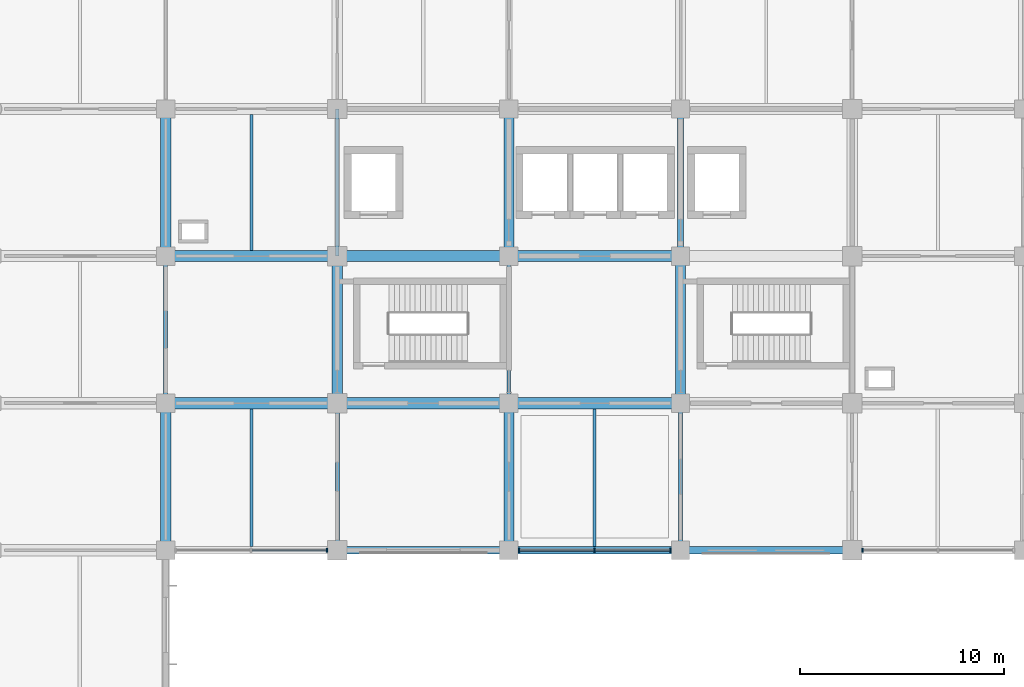
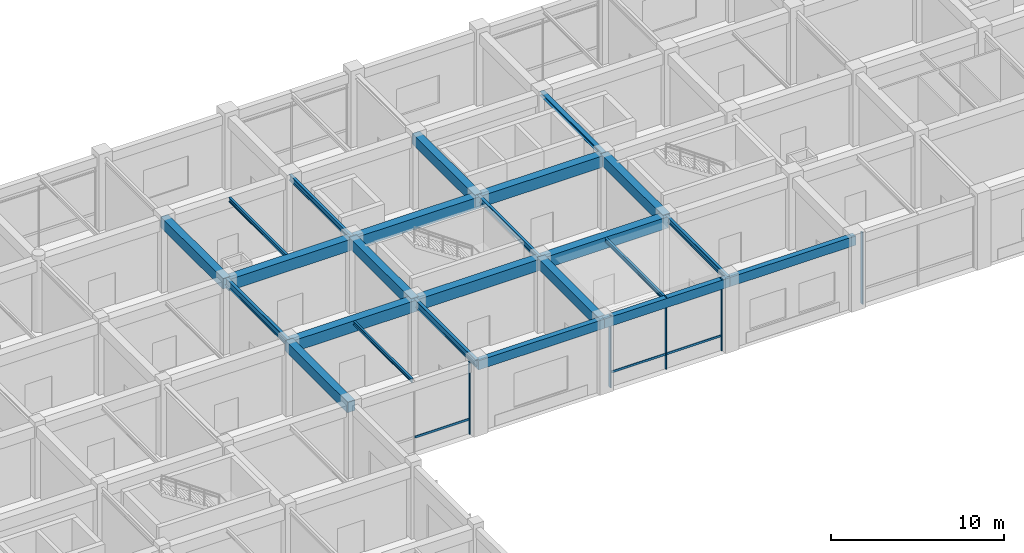
# One storey, part 7 of 41: 24 beams, 8 members, 3 elements without a shape of their own.
"""IFC4 building model written with IfcOpenShell, lengths in metres."""

from ifc_helpers import new_model, si_unit, derived_unit, direction, frame, origin, origin_2d, place, context, subcontext, project, spatial, rectangle, i_section, extrude, material, material_profile, profile_set, type_object, element, aggregate, save


model = new_model("IFC4")

# Units and contexts
model_context = context("Model", 3, precision=1e-05, world=origin(), true_north=direction((0.0, 1.0)))
body_context = subcontext(model_context, "Body", "Model", "MODEL_VIEW")
ifc_project = project(units=[si_unit("LENGTHUNIT", "METRE"), si_unit("AREAUNIT", "SQUARE_METRE"), si_unit("VOLUMEUNIT", "CUBIC_METRE"), si_unit("PLANEANGLEUNIT", "RADIAN"), si_unit("MASSUNIT", "GRAM", prefix="KILO"), derived_unit("THERMALTRANSMITTANCEUNIT", [(si_unit("MASSUNIT", "GRAM", prefix="KILO"), 1), (si_unit("TIMEUNIT", "SECOND"), -3), (si_unit("THERMODYNAMICTEMPERATUREUNIT", "KELVIN"), -1)])], contexts=[model_context])

# Site, building, storey
site_placement = place(None, origin())
site = spatial("IfcSite", under=ifc_project, at=site_placement, CompositionType="ELEMENT")
building_placement = place(site_placement, origin())
building = spatial("IfcBuilding", under=site, at=building_placement, Name="Veldstrom Oceanarium and Marine Research Institute", CompositionType="ELEMENT")
storey_placement = place(building_placement, frame((0.0, 0.0, 6.0)))
storey = spatial("IfcBuildingStorey", under=building, at=storey_placement, Name="L01", CompositionType="ELEMENT", Elevation=6.0)

# Curtain wall, member
ifc_material_1 = material(Name="Anodised Aluminium Framing", Category="aluminium")
curtain_wall_type = type_object("IfcCurtainWallType", Name="ARC-CW-CW02", PredefinedType="USERDEFINED", material=ifc_material_1)
curtain_wall_1_placement = place(storey_placement, origin())
curtain_wall_1 = element("IfcCurtainWall", 1, at=curtain_wall_1_placement, inside=storey, type_object=curtain_wall_type, Name="Curtain Wall CW02 CW-L01-008", ObjectType="Curtain wall", PredefinedType="USERDEFINED")
ifc_material_2 = material(Name="Anodised Aluminium Framing", Category="aluminium")
ifc_material_profile_1 = material_profile(ifc_material_2, rectangle(XDim=0.074951171875, YDim=0.179931640625, at=origin_2d()), Name="ALU-MUL-75x180")
ifc_profile_set_1 = profile_set([ifc_material_profile_1], Name="Anodised Aluminium Framing")
member_type_1 = type_object("IfcMemberType", Name="ARC-MUL-ML1", PredefinedType="MULLION", material=ifc_profile_set_1)
member_1_placement = place(storey_placement, frame((75.0849609375, 43.199951171875, 0.0), z_axis=(0.0, 0.0, 1.0), x_axis=(1.0, 0.0, 0.0)))
member_1 = element("IfcMember", 2, at=member_1_placement, type_object=member_type_1, Name="Curtain Wall Mullion CW-L01-008-MUL-3", PredefinedType="MULLION", context=body_context, shape_type="SweptSolid", body=[
    extrude(rectangle(XDim=0.074951171875, YDim=0.179931640625, at=origin_2d()), origin(), (0.0, 0.0, 1.0), 5.074951171875),
])

# Curtain wall, members
curtain_wall_2_placement = place(storey_placement, origin())
curtain_wall_2 = element("IfcCurtainWall", 3, at=curtain_wall_2_placement, inside=storey, type_object=curtain_wall_type, Name="Curtain Wall CW02 CW-L01-010", ObjectType="Curtain wall", PredefinedType="USERDEFINED")
member_2_placement = place(storey_placement, frame((84.489990234375, 43.199951171875, 0.0), z_axis=(0.0, 0.0, 1.0), x_axis=(1.0, 0.0, 0.0)))
member_2 = element("IfcMember", 4, at=member_2_placement, type_object=member_type_1, Name="Curtain Wall Mullion CW-L01-010-MUL-1", PredefinedType="MULLION", context=body_context, shape_type="SweptSolid", body=[
    extrude(rectangle(XDim=0.074951171875, YDim=0.179931640625, at=origin_2d()), origin(), (0.0, 0.0, 1.0), 5.074951171875),
])
member_3_placement = place(storey_placement, frame((88.199951171875, 43.199951171875, 0.0), z_axis=(0.0, 0.0, 1.0), x_axis=(1.0, 0.0, 0.0)))
member_3 = element("IfcMember", 5, at=member_3_placement, type_object=member_type_1, Name="Curtain Wall Mullion CW-L01-010-MUL-2", PredefinedType="MULLION", context=body_context, shape_type="SweptSolid", body=[
    extrude(rectangle(XDim=0.074951171875, YDim=0.179931640625, at=origin_2d()), origin(), (0.0, 0.0, 1.0), 5.074951171875),
])
member_4_placement = place(storey_placement, frame((91.909912109375, 43.199951171875, 0.0), z_axis=(0.0, 0.0, 1.0), x_axis=(1.0, 0.0, 0.0)))
member_4 = element("IfcMember", 6, at=member_4_placement, type_object=member_type_1, Name="Curtain Wall Mullion CW-L01-010-MUL-3", PredefinedType="MULLION", context=body_context, shape_type="SweptSolid", body=[
    extrude(rectangle(XDim=0.074951171875, YDim=0.179931640625, at=origin_2d()), origin(), (0.0, 0.0, 1.0), 5.074951171875),
])

# Curtain wall, member
curtain_wall_3_placement = place(storey_placement, origin())
curtain_wall_3 = element("IfcCurtainWall", 7, at=curtain_wall_3_placement, inside=storey, type_object=curtain_wall_type, Name="Curtain Wall CW02 CW-L01-012", ObjectType="Curtain wall", PredefinedType="USERDEFINED")
member_5_placement = place(storey_placement, frame((101.31494140625, 43.199951171875, 0.0), z_axis=(0.0, 0.0, 1.0), x_axis=(1.0, 0.0, 0.0)))
member_5 = element("IfcMember", 8, at=member_5_placement, type_object=member_type_1, Name="Curtain Wall Mullion CW-L01-012-MUL-1", PredefinedType="MULLION", context=body_context, shape_type="SweptSolid", body=[
    extrude(rectangle(XDim=0.074951171875, YDim=0.179931640625, at=origin_2d()), origin(), (0.0, 0.0, 1.0), 5.074951171875),
])
aggregate(curtain_wall_3, [member_5])

# Member
ifc_material_3 = material(Name="Anodised Aluminium Framing", Category="aluminium")
ifc_material_profile_2 = material_profile(ifc_material_3, rectangle(XDim=0.074951171875, YDim=0.14990234375, at=origin_2d()), Name="ALU-TRN-75x150")
ifc_profile_set_2 = profile_set([ifc_material_profile_2], Name="Anodised Aluminium Framing")
member_type_2 = type_object("IfcMemberType", Name="ARC-TRN-TR1", PredefinedType="USERDEFINED", material=ifc_profile_set_2)
member_6_placement = place(storey_placement, frame((71.427490234375, 43.199951171875, 1.050048828125), z_axis=(1.0, 0.0, 0.0), x_axis=(0.0, 1.0, 0.0)))
member_6 = element("IfcMember", 9, at=member_6_placement, type_object=member_type_2, Name="Curtain Wall Transom CW-L01-008-TRN-2", ObjectType="Transom", PredefinedType="USERDEFINED", context=body_context, shape_type="SweptSolid", body=[
    extrude(rectangle(XDim=0.074951171875, YDim=0.14990234375, at=origin_2d()), origin(), (0.0, 0.0, 1.0), 3.617431640625),
])

aggregate(curtain_wall_1, [member_1, member_6])

member_7_placement = place(storey_placement, frame((84.530029296875, 43.199951171875, 1.050048828125), z_axis=(1.0, 0.0, 0.0), x_axis=(0.0, 1.0, 0.0)))
member_7 = element("IfcMember", 10, at=member_7_placement, type_object=member_type_2, Name="Curtain Wall Transom CW-L01-010-TRN-1", ObjectType="Transom", PredefinedType="USERDEFINED", context=body_context, shape_type="SweptSolid", body=[
    extrude(rectangle(XDim=0.074951171875, YDim=0.14990234375, at=origin_2d()), origin(), (0.0, 0.0, 1.0), 3.6298828125),
])

member_8_placement = place(storey_placement, frame((88.239990234375, 43.199951171875, 1.050048828125), z_axis=(1.0, 0.0, 0.0), x_axis=(0.0, 1.0, 0.0)))
member_8 = element("IfcMember", 11, at=member_8_placement, type_object=member_type_2, Name="Curtain Wall Transom CW-L01-010-TRN-2", ObjectType="Transom", PredefinedType="USERDEFINED", context=body_context, shape_type="SweptSolid", body=[
    extrude(rectangle(XDim=0.074951171875, YDim=0.14990234375, at=origin_2d()), origin(), (0.0, 0.0, 1.0), 3.630126953125),
])

aggregate(curtain_wall_2, [member_2, member_3, member_4, member_7, member_8])

# Beams
ifc_material_4 = material(Name="Concrete C40/50", Category="concrete")
ifc_material_profile_3 = material_profile(ifc_material_4, rectangle(XDim=0.550048828125, YDim=0.800048828125, at=origin_2d()), Name="RC-BM-550x800")
ifc_profile_set_3 = profile_set([ifc_material_profile_3], Name="Concrete C40/50")
beam_type_1 = type_object("IfcBeamType", Name="STR-BM-B02", PredefinedType="BEAM", material=ifc_profile_set_3)
for number, where, z_axis, x_axis, name in (
    (12, (67.199951171875, 50.39990234375, 4.669921875), (1.0, 0.0, 0.0), (0.0, 1.0, 0.0), "Primary Beam B02 L01-1208"),
    (13, (67.199951171875, 57.60009765625, 4.669921875), (1.0, 0.0, 0.0), (0.0, 1.0, 0.0), "Primary Beam B02 L01-1209"),
):
    element("IfcBeam", number, at=place(storey_placement, frame(where, z_axis=z_axis, x_axis=x_axis)), inside=storey, type_object=beam_type_1, Name=name, PredefinedType="BEAM", context=body_context, shape_type="SweptSolid", body=[
        extrude(rectangle(XDim=0.550048828125, YDim=0.800048828125, at=origin_2d()), origin(), (0.0, 0.0, 1.0), 8.400146484375),
    ])
for number, where, z_axis, x_axis, name in (
    (14, (75.60009765625, 50.39990234375, 4.669921875), (1.0, 0.0, 0.0), (0.0, 1.0, 0.0), "Primary Beam B02 L01-1213"),
    (15, (75.60009765625, 57.60009765625, 4.669921875), (1.0, 0.0, 0.0), (0.0, 1.0, 0.0), "Primary Beam B02 L01-1214"),
    (16, (84.0, 50.39990234375, 4.669921875), (1.0, 0.0, 0.0), (0.0, 1.0, 0.0), "Primary Beam B02 L01-1218"),
    (17, (84.0, 57.60009765625, 4.669921875), (1.0, 0.0, 0.0), (0.0, 1.0, 0.0), "Primary Beam B02 L01-1219"),
):
    element("IfcBeam", number, at=place(storey_placement, frame(where, z_axis=z_axis, x_axis=x_axis)), inside=storey, type_object=beam_type_1, Name=name, PredefinedType="BEAM", context=body_context, shape_type="SweptSolid", body=[
        extrude(rectangle(XDim=0.550048828125, YDim=0.800048828125, at=origin_2d()), origin(), (0.0, 0.0, 1.0), 8.39990234375),
    ])
ifc_material_5 = material(Name="Concrete C40/50", Category="concrete")
ifc_material_profile_4 = material_profile(ifc_material_5, rectangle(XDim=0.5, YDim=0.75, at=origin_2d()), Name="RC-BM-500x750")
ifc_profile_set_4 = profile_set([ifc_material_profile_4], Name="Concrete C40/50")
beam_type_2 = type_object("IfcBeamType", Name="STR-BM-B03", PredefinedType="BEAM", material=ifc_profile_set_4)
for number, where, z_axis, x_axis, name in (
    (18, (67.199951171875, 43.199951171875, 4.695068359375), (0.0, 1.0, 0.0), (-1.0, 0.0, 0.0), "Primary Beam B03 L01-1359"),
    (19, (67.199951171875, 57.60009765625, 4.695068359375), (0.0, 1.0, 0.0), (-1.0, 0.0, 0.0), "Primary Beam B03 L01-1361"),
):
    element("IfcBeam", number, at=place(storey_placement, frame(where, z_axis=z_axis, x_axis=x_axis)), inside=storey, type_object=beam_type_2, Name=name, PredefinedType="BEAM", context=body_context, shape_type="SweptSolid", body=[
        extrude(rectangle(XDim=0.5, YDim=0.75, at=origin_2d()), origin(), (0.0, 0.0, 1.0), 7.199951171875),
    ])
beam_1_placement = place(storey_placement, frame((75.60009765625, 50.39990234375, 4.695068359375), z_axis=(0.0, 1.0, 0.0), x_axis=(-1.0, 0.0, 0.0)))
element("IfcBeam", 20, at=beam_1_placement, inside=storey, type_object=beam_type_2, Name="Primary Beam B03 L01-1364", PredefinedType="BEAM", context=body_context, shape_type="SweptSolid", body=[
    extrude(rectangle(XDim=0.5, YDim=0.75, at=origin_2d()), origin(), (0.0, 0.0, 1.0), 7.2001953125),
])
for number, where, z_axis, x_axis, name in (
    (21, (84.0, 43.199951171875, 4.695068359375), (0.0, 1.0, 0.0), (-1.0, 0.0, 0.0), "Primary Beam B03 L01-1367"),
    (22, (84.0, 57.60009765625, 4.695068359375), (0.0, 1.0, 0.0), (-1.0, 0.0, 0.0), "Primary Beam B03 L01-1369"),
):
    element("IfcBeam", number, at=place(storey_placement, frame(where, z_axis=z_axis, x_axis=x_axis)), inside=storey, type_object=beam_type_2, Name=name, PredefinedType="BEAM", context=body_context, shape_type="SweptSolid", body=[
        extrude(rectangle(XDim=0.5, YDim=0.75, at=origin_2d()), origin(), (0.0, 0.0, 1.0), 7.199951171875),
    ])
beam_2_placement = place(storey_placement, frame((92.39990234375, 50.39990234375, 4.695068359375), z_axis=(0.0, 1.0, 0.0), x_axis=(-1.0, 0.0, 0.0)))
element("IfcBeam", 23, at=beam_2_placement, inside=storey, type_object=beam_type_2, Name="Primary Beam B03 L01-1372", PredefinedType="BEAM", context=body_context, shape_type="SweptSolid", body=[
    extrude(rectangle(XDim=0.5, YDim=0.75, at=origin_2d()), origin(), (0.0, 0.0, 1.0), 7.2001953125),
])
ifc_material_6 = material(Name="Steel S355JR", Category="steel")
ifc_material_profile_5 = material_profile(ifc_material_6, i_section(OverallWidth=0.300048828125, OverallDepth=0.2900390625, WebThickness=0.008544921875, FlangeThickness=0.013916015625, FilletRadius=0.027099609375, at=origin_2d()), Name="HEA 300")
ifc_profile_set_5 = profile_set([ifc_material_profile_5], Name="Steel S355JR")
beam_type_3 = type_object("IfcBeamType", Name="STR-BM-SB10", PredefinedType="BEAM", material=ifc_profile_set_5)
beam_3_placement = place(storey_placement, frame((92.39990234375, 57.60009765625, 4.925048828125), z_axis=(0.0, 1.0, 0.0), x_axis=(-1.0, 0.0, 0.0)))
element("IfcBeam", 24, at=beam_3_placement, inside=storey, type_object=beam_type_3, Name="Steel Tie Beam SB10 L01-1373", PredefinedType="BEAM", context=body_context, shape_type="SweptSolid", body=[
    extrude(i_section(OverallWidth=0.300048828125, OverallDepth=0.2900390625, WebThickness=0.008544921875, FlangeThickness=0.013916015625, FilletRadius=0.027099609375, at=origin_2d()), origin(), (0.0, 0.0, 1.0), 7.199951171875),
])
ifc_material_7 = material(Name="Steel S355JR", Category="steel")
ifc_material_profile_6 = material_profile(ifc_material_7, i_section(OverallWidth=0.199951171875, OverallDepth=0.5, WebThickness=0.01025390625, FlangeThickness=0.01611328125, FilletRadius=0.02099609375, at=origin_2d()), Name="IPE 500")
ifc_profile_set_6 = profile_set([ifc_material_profile_6], Name="Steel S355JR")
beam_type_4 = type_object("IfcBeamType", Name="STR-BM-SB6", PredefinedType="BEAM", material=ifc_profile_set_6)
beam_4_placement = place(storey_placement, frame((67.199951171875, 50.39990234375, 4.820068359375), z_axis=(0.0, 1.0, 0.0), x_axis=(-1.0, 0.0, 0.0)))
element("IfcBeam", 25, at=beam_4_placement, inside=storey, type_object=beam_type_4, Name="Steel Tie Beam SB6 L01-1360", PredefinedType="BEAM", context=body_context, shape_type="SweptSolid", body=[
    extrude(i_section(OverallWidth=0.199951171875, OverallDepth=0.5, WebThickness=0.01025390625, FlangeThickness=0.01611328125, FilletRadius=0.02099609375, at=origin_2d()), origin(), (0.0, 0.0, 1.0), 7.2001953125),
])
beam_5_placement = place(storey_placement, frame((75.60009765625, 43.199951171875, 4.820068359375), z_axis=(0.0, 1.0, 0.0), x_axis=(-1.0, 0.0, 0.0)))
element("IfcBeam", 26, at=beam_5_placement, inside=storey, type_object=beam_type_4, Name="Steel Tie Beam SB6 L01-1363", PredefinedType="BEAM", context=body_context, shape_type="SweptSolid", body=[
    extrude(i_section(OverallWidth=0.199951171875, OverallDepth=0.5, WebThickness=0.01025390625, FlangeThickness=0.01611328125, FilletRadius=0.02099609375, at=origin_2d()), origin(), (0.0, 0.0, 1.0), 7.199951171875),
])
ifc_material_8 = material(Name="Steel S355JR", Category="steel")
ifc_material_profile_7 = material_profile(ifc_material_8, i_section(OverallWidth=0.179931640625, OverallDepth=0.39990234375, WebThickness=0.008544921875, FlangeThickness=0.013427734375, FilletRadius=0.02099609375, at=origin_2d()), Name="IPE 400")
ifc_profile_set_7 = profile_set([ifc_material_profile_7], Name="Steel S355JR")
beam_type_5 = type_object("IfcBeamType", Name="STR-BM-SB8", PredefinedType="BEAM", material=ifc_profile_set_7)
beam_6_placement = place(storey_placement, frame((75.60009765625, 57.60009765625, 4.8701171875), z_axis=(0.0, 1.0, 0.0), x_axis=(-1.0, 0.0, 0.0)))
element("IfcBeam", 27, at=beam_6_placement, inside=storey, type_object=beam_type_5, Name="Steel Tie Beam SB8 L01-1365", PredefinedType="BEAM", context=body_context, shape_type="SweptSolid", body=[
    extrude(i_section(OverallWidth=0.179931640625, OverallDepth=0.39990234375, WebThickness=0.008544921875, FlangeThickness=0.013427734375, FilletRadius=0.02099609375, at=origin_2d()), origin(), (0.0, 0.0, 1.0), 7.199951171875),
])
beam_7_placement = place(storey_placement, frame((84.0, 50.39990234375, 4.8701171875), z_axis=(0.0, 1.0, 0.0), x_axis=(-1.0, 0.0, 0.0)))
element("IfcBeam", 28, at=beam_7_placement, inside=storey, type_object=beam_type_5, Name="Steel Tie Beam SB8 L01-1368", PredefinedType="BEAM", context=body_context, shape_type="SweptSolid", body=[
    extrude(i_section(OverallWidth=0.179931640625, OverallDepth=0.39990234375, WebThickness=0.008544921875, FlangeThickness=0.013427734375, FilletRadius=0.02099609375, at=origin_2d()), origin(), (0.0, 0.0, 1.0), 7.2001953125),
])
beam_8_placement = place(storey_placement, frame((92.39990234375, 43.199951171875, 4.8701171875), z_axis=(0.0, 1.0, 0.0), x_axis=(-1.0, 0.0, 0.0)))
element("IfcBeam", 29, at=beam_8_placement, inside=storey, type_object=beam_type_5, Name="Steel Tie Beam SB8 L01-1371", PredefinedType="BEAM", context=body_context, shape_type="SweptSolid", body=[
    extrude(i_section(OverallWidth=0.179931640625, OverallDepth=0.39990234375, WebThickness=0.008544921875, FlangeThickness=0.013427734375, FilletRadius=0.02099609375, at=origin_2d()), origin(), (0.0, 0.0, 1.0), 7.199951171875),
])
ifc_material_9 = material(Name="Steel S355JR", Category="steel")
ifc_material_profile_8 = material_profile(ifc_material_9, i_section(OverallWidth=0.14990234375, OverallDepth=0.300048828125, WebThickness=0.007080078125, FlangeThickness=0.0107421875, FilletRadius=0.014892578125, at=origin_2d()), Name="IPE 300")
ifc_profile_set_8 = profile_set([ifc_material_profile_8], Name="Steel S355JR")
beam_type_6 = type_object("IfcBeamType", Name="STR-JST-SJ2", PredefinedType="JOIST", material=ifc_profile_set_8)
beam_9_placement = place(storey_placement, frame((71.39990234375, 57.875, 4.919921875), z_axis=(0.0, 1.0, 0.0), x_axis=(-1.0, 0.0, 0.0)))
element("IfcBeam", 30, at=beam_9_placement, inside=storey, type_object=beam_type_6, Name="Secondary Joist SJ2 L01-1463", PredefinedType="JOIST", context=body_context, shape_type="SweptSolid", body=[
    extrude(i_section(OverallWidth=0.14990234375, OverallDepth=0.300048828125, WebThickness=0.007080078125, FlangeThickness=0.0107421875, FilletRadius=0.014892578125, at=origin_2d()), origin(), (0.0, 0.0, 1.0), 6.64990234375),
])
beam_10_placement = place(storey_placement, frame((88.199951171875, 43.375, 4.919921875), z_axis=(0.0, 1.0, 0.0), x_axis=(-1.0, 0.0, 0.0)))
element("IfcBeam", 31, at=beam_10_placement, inside=storey, type_object=beam_type_6, Name="Secondary Joist SJ2 L01-1465", PredefinedType="JOIST", context=body_context, shape_type="SweptSolid", body=[
    extrude(i_section(OverallWidth=0.14990234375, OverallDepth=0.300048828125, WebThickness=0.007080078125, FlangeThickness=0.0107421875, FilletRadius=0.014892578125, at=origin_2d()), origin(), (0.0, 0.0, 1.0), 6.75),
])
ifc_material_10 = material(Name="Steel S355JR", Category="steel")
ifc_material_profile_9 = material_profile(ifc_material_10, i_section(OverallWidth=0.135009765625, OverallDepth=0.27001953125, WebThickness=0.006591796875, FlangeThickness=0.01025390625, FilletRadius=0.014892578125, at=origin_2d()), Name="IPE 270")
ifc_profile_set_9 = profile_set([ifc_material_profile_9], Name="Steel S355JR")
beam_type_7 = type_object("IfcBeamType", Name="STR-JST-SJ3", PredefinedType="JOIST", material=ifc_profile_set_9)
beam_11_placement = place(storey_placement, frame((71.39990234375, 43.375, 4.93505859375), z_axis=(0.0, 1.0, 0.0), x_axis=(-1.0, 0.0, 0.0)))
element("IfcBeam", 32, at=beam_11_placement, inside=storey, type_object=beam_type_7, Name="Secondary Joist SJ3 L01-1462", PredefinedType="JOIST", context=body_context, shape_type="SweptSolid", body=[
    extrude(i_section(OverallWidth=0.135009765625, OverallDepth=0.27001953125, WebThickness=0.006591796875, FlangeThickness=0.01025390625, FilletRadius=0.014892578125, at=origin_2d()), origin(), (0.0, 0.0, 1.0), 6.75),
])
ifc_material_11 = material(Name="Concrete C40/50", Category="concrete")
ifc_material_profile_10 = material_profile(ifc_material_11, rectangle(XDim=0.35009765625, YDim=0.64990234375, at=origin_2d()), Name="RC-SPN-350x650")
ifc_profile_set_10 = profile_set([ifc_material_profile_10], Name="Concrete C40/50")
beam_type_8 = type_object("IfcBeamType", Name="STR-SPN-SP1", PredefinedType="SPANDREL", material=ifc_profile_set_10)
for number, where, z_axis, x_axis, name in (
    (33, (75.60009765625, 43.199951171875, 4.7451171875), (1.0, 0.0, 0.0), (0.0, 1.0, 0.0), "Perimeter Spandrel SPB1 L01-1212"),
    (34, (84.0, 43.199951171875, 4.7451171875), (1.0, 0.0, 0.0), (0.0, 1.0, 0.0), "Perimeter Spandrel SPB1 L01-1217"),
):
    element("IfcBeam", number, at=place(storey_placement, frame(where, z_axis=z_axis, x_axis=x_axis)), inside=storey, type_object=beam_type_8, Name=name, PredefinedType="SPANDREL", context=body_context, shape_type="SweptSolid", body=[
        extrude(rectangle(XDim=0.35009765625, YDim=0.64990234375, at=origin_2d()), origin(), (0.0, 0.0, 1.0), 8.39990234375),
    ])
beam_12_placement = place(storey_placement, frame((92.39990234375, 43.199951171875, 4.7451171875), z_axis=(1.0, 0.0, 0.0), x_axis=(0.0, 1.0, 0.0)))
element("IfcBeam", 35, at=beam_12_placement, inside=storey, type_object=beam_type_8, Name="Perimeter Spandrel SPB1 L01-1222", PredefinedType="SPANDREL", context=body_context, shape_type="SweptSolid", body=[
    extrude(rectangle(XDim=0.35009765625, YDim=0.64990234375, at=origin_2d()), origin(), (0.0, 0.0, 1.0), 8.400146484375),
])

save(model, "model.ifc")
